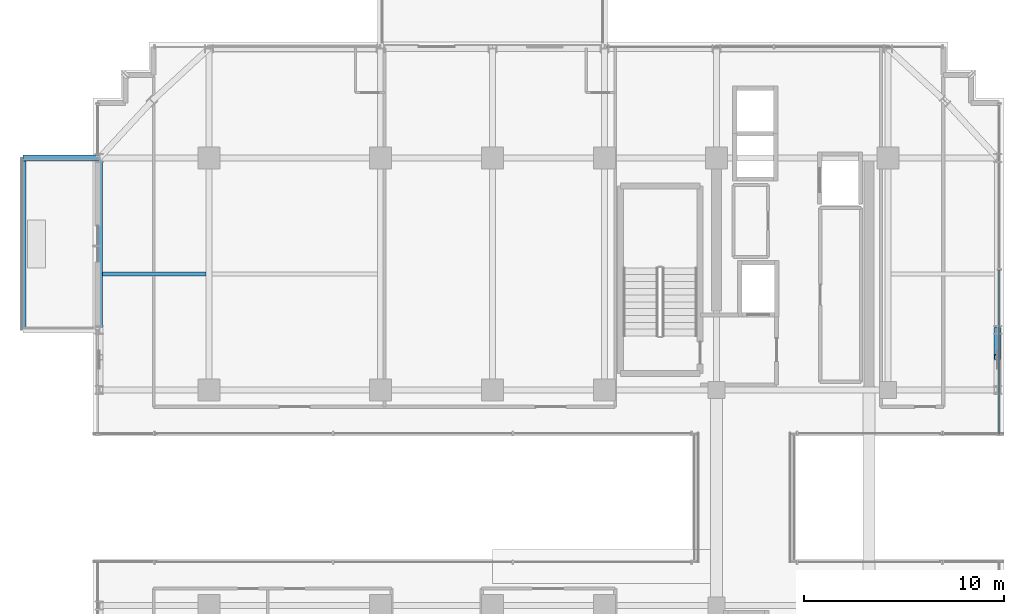
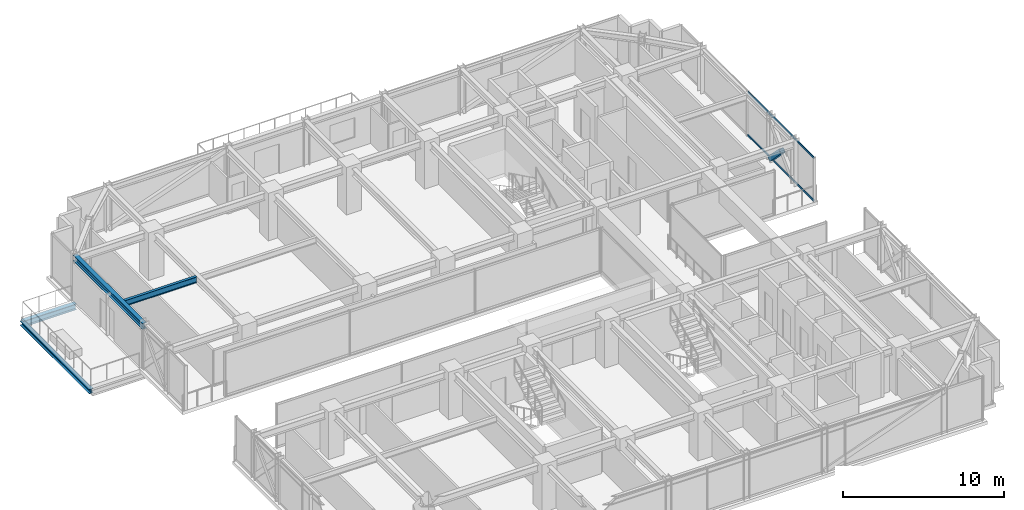
# One storey, part 21 of 43: 4 beams, 3 members, 1 element without a shape of its own.
"""IFC4 building model written with IfcOpenShell, lengths in metres."""

from ifc_helpers import new_model, si_unit, direction, frame, origin, origin_2d, place, context, subcontext, project, spatial, hollow_rectangle, i_section, extrude, source, transform, mapped, material, material_profile, profile_set, type_object, element, aggregate, save


model = new_model("IFC4")

# Units and contexts
model_context = context("Model", 3, precision=1e-05, world=origin(), true_north=direction((0.0, 1.0)))
body_context = subcontext(model_context, "Body", "Model", "MODEL_VIEW")
ifc_project = project(units=[si_unit("LENGTHUNIT", "METRE"), si_unit("AREAUNIT", "SQUARE_METRE"), si_unit("VOLUMEUNIT", "CUBIC_METRE"), si_unit("PLANEANGLEUNIT", "RADIAN"), si_unit("MASSUNIT", "GRAM", prefix="KILO")], contexts=[model_context])

# Site, building, storey
site_placement = place(None, origin())
site = spatial("IfcSite", under=ifc_project, at=site_placement, CompositionType="ELEMENT")
building_placement = place(site_placement, origin())
building = spatial("IfcBuilding", under=site, at=building_placement, Name="Nahalor Promenade Grand Hotel", CompositionType="ELEMENT")
storey_placement = place(building_placement, frame((0.0, 0.0, 181.85009765625)))
storey = spatial("IfcBuildingStorey", under=building, at=storey_placement, Name="L46", CompositionType="ELEMENT", Elevation=181.85009765625)

# Beams
ifc_material_1 = material(Name="Steel S355JR", Category="steel")
ifc_material_profile_1 = material_profile(ifc_material_1, i_section(OverallWidth=0.3, OverallDepth=0.32, WebThickness=0.0115, FlangeThickness=0.0205, at=origin_2d()), Name="HEB 320")
ifc_profile_set_1 = profile_set([ifc_material_profile_1], Name="Steel S355JR")
beam_type_1 = type_object("IfcBeamType", Name="Beam-BalcEdge-HEB320", PredefinedType="SPANDREL", material=ifc_profile_set_1)
shared_shape_1 = source(origin(), body_context, "Body", "SweptSolid", [
    extrude(i_section(OverallWidth=0.3, OverallDepth=0.32, WebThickness=0.0115, FlangeThickness=0.0205, at=origin_2d()), origin(), (0.0, 0.0, 1.0), 8.60009765625),
])
beam_1_placement = place(storey_placement, frame((-26.300048828125, 8.39990234375, -0.440185546875), z_axis=(0.0, 1.0, 0.0), x_axis=(-1.0, 0.0, 0.0)))
element("IfcBeam", 1, at=beam_1_placement, inside=storey, type_object=beam_type_1, Name="BM-L46-BC-02-F", PredefinedType="SPANDREL", context=body_context, shape_type="MappedRepresentation", body=[
    mapped(shared_shape_1, transform((0.0, 0.0, 0.0), scale=1.0)),
])
ifc_material_profile_2 = material_profile(ifc_material_1, i_section(OverallWidth=0.3, OverallDepth=0.45, WebThickness=0.014, FlangeThickness=0.026, at=origin_2d()), Name="HEB 450")
ifc_profile_set_2 = profile_set([ifc_material_profile_2], Name="Steel S355JR")
beam_type_2 = type_object("IfcBeamType", Name="Beam-Outrigger-HEB450", PredefinedType="BEAM", material=ifc_profile_set_2)
shared_shape_2 = source(origin(), body_context, "Body", "SweptSolid", [
    extrude(i_section(OverallWidth=0.3, OverallDepth=0.45, WebThickness=0.014, FlangeThickness=0.026, at=origin_2d()), origin(), (0.0, 0.0, 1.0), 3.820068359375),
])
beam_2_placement = place(storey_placement, frame((-26.300048828125, 17.0, -0.505126953125), z_axis=(1.0, 0.0, 0.0), x_axis=(0.0, 1.0, 0.0)))
element("IfcBeam", 2, at=beam_2_placement, inside=storey, type_object=beam_type_2, Name="BM-L46-BC-02-2", PredefinedType="BEAM", context=body_context, shape_type="MappedRepresentation", body=[
    mapped(shared_shape_2, transform((0.0, 0.0, 0.0), scale=1.0)),
])
ifc_material_profile_3 = material_profile(ifc_material_1, i_section(OverallWidth=0.19, OverallDepth=0.45, WebThickness=0.0094, FlangeThickness=0.0146, at=origin_2d()), Name="IPE 450")
ifc_profile_set_3 = profile_set([ifc_material_profile_3], Name="Steel S355JR")
beam_type_3 = type_object("IfcBeamType", Name="Beam-Joist-IPE450", PredefinedType="JOIST", material=ifc_profile_set_3)
shared_shape_3 = source(origin(), body_context, "Body", "SweptSolid", [
    extrude(i_section(OverallWidth=0.19, OverallDepth=0.45, WebThickness=0.0094, FlangeThickness=0.0146, at=origin_2d()), origin(), (0.0, 0.0, 1.0), 5.18017578125),
])
beam_3_placement = place(storey_placement, frame((-22.330078125, 11.199951171875, 3.164794921875), z_axis=(1.0, 0.0, 0.0), x_axis=(0.0, 1.0, 0.0)))
element("IfcBeam", 3, at=beam_3_placement, inside=storey, type_object=beam_type_3, Name="BM-L46-JSW-1-0", PredefinedType="JOIST", context=body_context, shape_type="MappedRepresentation", body=[
    mapped(shared_shape_3, transform((0.0, 0.0, 0.0), scale=1.0)),
])
ifc_material_profile_4 = material_profile(ifc_material_1, i_section(OverallWidth=0.3, OverallDepth=0.45, WebThickness=0.014, FlangeThickness=0.026, at=origin_2d()), Name="HEB 450")
ifc_profile_set_4 = profile_set([ifc_material_profile_4], Name="Steel S355JR")
beam_type_4 = type_object("IfcBeamType", Name="Beam-Spandrel-HEB450", PredefinedType="SPANDREL", material=ifc_profile_set_4)
shared_shape_4 = source(origin(), body_context, "Body", "SweptSolid", [
    extrude(i_section(OverallWidth=0.3, OverallDepth=0.45, WebThickness=0.014, FlangeThickness=0.026, at=origin_2d()), origin(), (0.0, 0.0, 1.0), 8.60009765625),
])
beam_4_placement = place(storey_placement, frame((-22.47998046875, 8.39990234375, 3.164794921875), z_axis=(0.0, 1.0, 0.0), x_axis=(-1.0, 0.0, 0.0)))
element("IfcBeam", 4, at=beam_4_placement, inside=storey, type_object=beam_type_4, Name="BM-L46-SP-W-4", PredefinedType="SPANDREL", context=body_context, shape_type="MappedRepresentation", body=[
    mapped(shared_shape_4, transform((0.0, 0.0, 0.0), scale=1.0)),
])

# Member
ifc_material_profile_5 = material_profile(ifc_material_1, hollow_rectangle(XDim=0.35, YDim=0.35, WallThickness=0.02, at=origin_2d()), Name="SHS 350x350x20")
ifc_profile_set_5 = profile_set([ifc_material_profile_5], Name="Steel S355JR")
member_type_1 = type_object("IfcMemberType", Name="Mem-VoidBrace-SHS350", PredefinedType="BRACE", material=ifc_profile_set_5)
shared_shape_5 = source(origin(), body_context, "Body", "SweptSolid", [
    extrude(hollow_rectangle(XDim=0.35, YDim=0.35, WallThickness=0.02, at=origin_2d()), origin(), (0.0, 0.0, 1.0), 1.96630859375),
])
member_1_placement = place(storey_placement, frame((22.47998046875, 8.39990234375, 0.14990234375), z_axis=(0.0, -0.696537426897, 0.717520461682), x_axis=(1.0, 0.0, 0.0)))
element("IfcMember", 5, at=member_1_placement, inside=storey, type_object=member_type_1, Name="EXO-L46-VX2-E1A", PredefinedType="BRACE", context=body_context, shape_type="MappedRepresentation", body=[
    mapped(shared_shape_5, transform((0.0, 0.0, 0.0), scale=1.0)),
])

# Curtain wall, members
ifc_material_2 = material(Name="Anodised Bronze Aluminium EN AW-6063 T6", Category="aluminium")
curtain_wall_type = type_object("IfcCurtainWallType", Name="CW3 Elliptical-Void Collar Unitised Curtain Wall", PredefinedType="USERDEFINED", material=ifc_material_2)
curtain_wall_placement = place(storey_placement, origin())
curtain_wall = element("IfcCurtainWall", 6, at=curtain_wall_placement, inside=storey, type_object=curtain_wall_type, Name="L46 Curtain Wall CW-L46-E-2", ObjectType="UNITISED_CURTAIN_WALL", PredefinedType="USERDEFINED")
ifc_material_profile_6 = material_profile(ifc_material_2, hollow_rectangle(XDim=0.07, YDim=0.14, WallThickness=0.004, at=origin_2d()), Name="CWT 70x140x4")
ifc_profile_set_6 = profile_set([ifc_material_profile_6], Name="Anodised Bronze Aluminium EN AW-6063 T6")
member_type_2 = type_object("IfcMemberType", Name="CWT3 Void Collar Transom 70x140", PredefinedType="USERDEFINED", material=ifc_profile_set_6)
shared_shape_6 = source(origin(), body_context, "Body", "SweptSolid", [
    extrude(hollow_rectangle(XDim=0.07, YDim=0.14, WallThickness=0.004, at=origin_2d()), origin(), (0.0, 0.0, 1.0), 8.22509765625),
])
member_2_placement = place(storey_placement, frame((22.56005859375, 3.169921875, 0.06982421875), z_axis=(0.0, 1.0, 0.0), x_axis=(-1.0, 0.0, 0.0)))
member_2 = element("IfcMember", 7, at=member_2_placement, type_object=member_type_2, Name="CW-L46-E-2 Transom 0-0", ObjectType="TRANSOM", PredefinedType="USERDEFINED", context=body_context, shape_type="MappedRepresentation", body=[
    mapped(shared_shape_6, transform((0.0, 0.0, 0.0), scale=1.0)),
])
member_3_placement = place(storey_placement, frame((22.56005859375, 3.169921875, 3.31982421875), z_axis=(0.0, 1.0, 0.0), x_axis=(-1.0, 0.0, 0.0)))
member_3 = element("IfcMember", 8, at=member_3_placement, type_object=member_type_2, Name="CW-L46-E-2 Transom 0-1", ObjectType="TRANSOM", PredefinedType="USERDEFINED", context=body_context, shape_type="MappedRepresentation", body=[
    mapped(shared_shape_6, transform((0.0, 0.0, 0.0), scale=1.0)),
])
aggregate(curtain_wall, [member_2, member_3])

save(model, "model.ifc")
